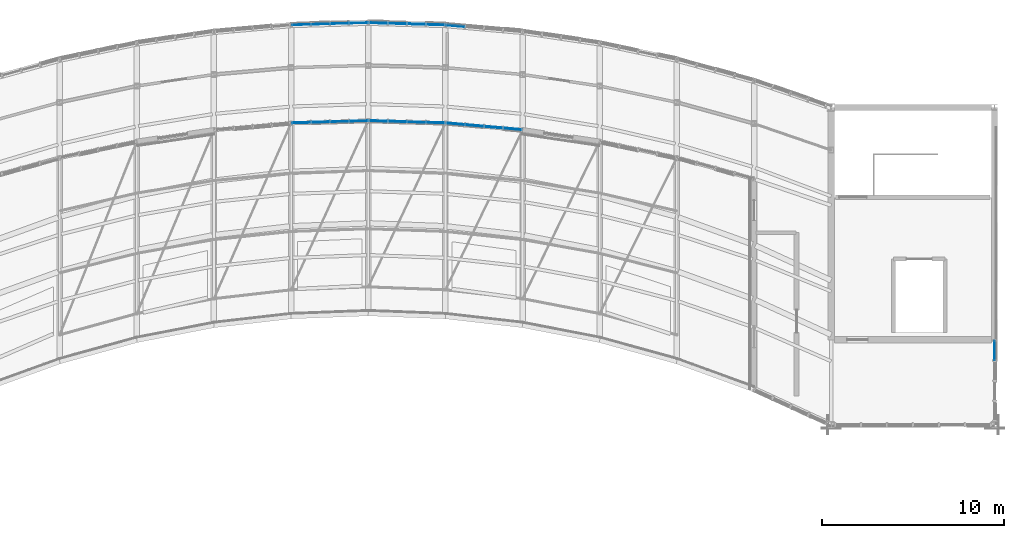
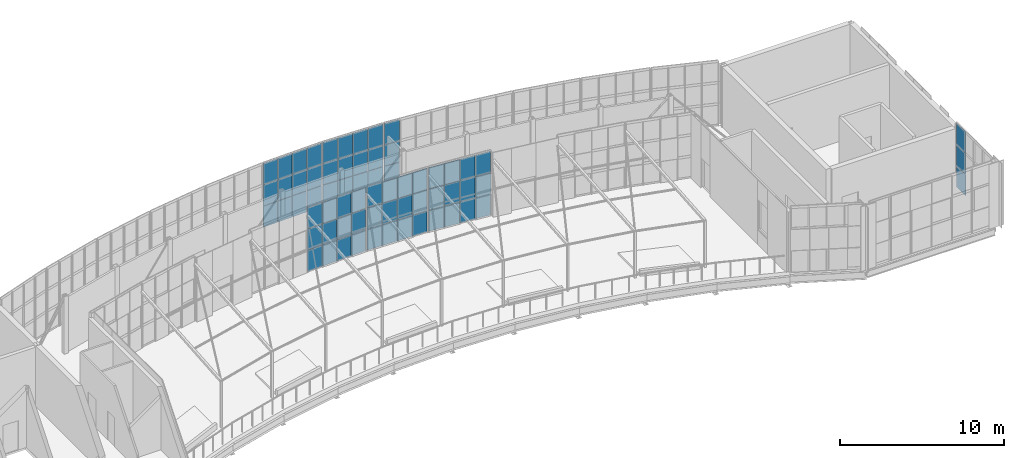
# One storey, part 28 of 35: 66 plates, 7 elements without a shape of their own.
"""IFC4 building model written with IfcOpenShell, lengths in metres."""

import ifcopenshell
import ifcopenshell.guid

model = None  # the IFC model being written
_history = None  # IfcOwnerHistory: only IFC2X3 demands one
_inside = {}  # id of a spatial element -> (the spatial element, [elements in it])
_under = {}  # id of a project, library or spatial element -> (it, [spatial elements below it])
_declared = {}  # id of a project -> (the project, [libraries it declares])
_typed = {}  # id of a type object -> (the type object, [elements of that type])
_made_of = {}  # id of a material, layer set ... -> (it, [elements and type objects made of it])


def new_model(schema):
    """Start an empty IFC model of exactly this schema.

    Asked for "IFC4X3", IfcOpenShell would pick the latest addendum, in which some entities
    have other attributes; the version numbers below select the first issue.
    IFC2X3 requires an IfcOwnerHistory on every rooted entity: one is made here for all.
    """
    global model, _history
    if schema == "IFC4X3":
        model = ifcopenshell.file(schema_version=(4, 3, 0, 0))
    else:
        model = ifcopenshell.file(schema=schema)
    _inside.clear()
    _under.clear()
    _declared.clear()
    _typed.clear()
    _made_of.clear()
    _history = None
    if model.schema == "IFC2X3":
        org = make("IfcOrganization", Name="unknown")
        user = make(
            "IfcPersonAndOrganization",
            ThePerson=make("IfcPerson", FamilyName="unknown"),
            TheOrganization=org,
        )
        app = make(
            "IfcApplication",
            ApplicationDeveloper=org,
            Version="unknown",
            ApplicationFullName="unknown",
            ApplicationIdentifier="unknown",
        )
        _history = make(
            "IfcOwnerHistory",
            OwningUser=user,
            OwningApplication=app,
            ChangeAction="ADDED",
            CreationDate=0,
        )
    return model


def make(cls, **values):
    """One entity of the class cls with the attributes given. An attribute that is None is left unset."""
    return model.create_entity(
        cls, **{name: value for name, value in values.items() if value is not None}
    )


def rooted(cls, **values):
    """An entity with a GlobalId (a new one), such as an element, a storey or a relation."""
    return make(cls, GlobalId=ifcopenshell.guid.new(), OwnerHistory=_history, **values)


def si_unit(unit_type, name, prefix=None):
    """IfcSIUnit, for example si_unit("LENGTHUNIT", "METRE", prefix="MILLI")."""
    return make("IfcSIUnit", UnitType=unit_type, Prefix=prefix, Name=name)


def assignment(units):
    """IfcUnitAssignment: the units of a project."""
    return None if units is None else make("IfcUnitAssignment", Units=units)


def point(xyz):
    """IfcCartesianPoint."""
    return None if xyz is None else make("IfcCartesianPoint", Coordinates=xyz)


def direction(xyz):
    """IfcDirection."""
    return None if xyz is None else make("IfcDirection", DirectionRatios=xyz)


def frame(location, z_axis=None, x_axis=None):
    """IfcAxis2Placement3D, a coordinate frame: its origin and axes. An axis left out is left unset."""
    return make(
        "IfcAxis2Placement3D",
        Location=point(location),
        Axis=direction(z_axis),
        RefDirection=direction(x_axis),
    )


def frame_2d(location, x_axis=None):
    """IfcAxis2Placement2D, a coordinate frame in the plane: its origin and x axis."""
    return make(
        "IfcAxis2Placement2D", Location=point(location), RefDirection=direction(x_axis)
    )


def origin():
    """The frame at (0, 0, 0) with its axes left unset."""
    return frame((0.0, 0.0, 0.0))


def origin_2d():
    """The frame at (0, 0) in the plane with its x axis left unset."""
    return frame_2d((0.0, 0.0))


def place(relative_to, where):
    """IfcLocalPlacement: puts the frame where relative to a parent placement (None: the world)."""
    return make(
        "IfcLocalPlacement", PlacementRelTo=relative_to, RelativePlacement=where
    )


def context(
    kind, dimensions, precision=None, world=None, true_north=None, identifier=None
):
    """IfcGeometricRepresentationContext, for example the 3D "Model" context."""
    return make(
        "IfcGeometricRepresentationContext",
        ContextIdentifier=identifier,
        ContextType=kind,
        CoordinateSpaceDimension=dimensions,
        Precision=precision,
        WorldCoordinateSystem=world,
        TrueNorth=true_north,
    )


def subcontext(parent, identifier, kind, view, scale=None):
    """IfcGeometricRepresentationSubContext, for example "Body" below "Model"."""
    return make(
        "IfcGeometricRepresentationSubContext",
        ContextIdentifier=identifier,
        ContextType=kind,
        ParentContext=parent,
        TargetScale=scale,
        TargetView=view,
    )


def project(units=None, contexts=None):
    """IfcProject with its units and contexts."""
    return rooted(
        "IfcProject",
        Name="project",
        RepresentationContexts=contexts,
        UnitsInContext=assignment(units),
    )


def spatial(cls, under=None, at=None, **own):
    """A site, building, storey or space (cls), placed at a placement, below another one or the project."""
    s = rooted(cls, ObjectPlacement=at, **own)
    if under is not None:
        _under.setdefault(under.id(), (under, []))[1].append(s)
    return s


def profile(cls, at=None, kind="AREA", **sizes):
    """A parametric profile (cls). Its sizes go by their IFC names, for example OverallWidth=200.0."""
    return make(cls, ProfileType=kind, Position=at, **sizes)


def rectangle(**sizes):
    """IfcRectangleProfileDef."""
    return profile("IfcRectangleProfileDef", **sizes)


def extrude(swept, where, along, depth):
    """IfcExtrudedAreaSolid: the profile swept, set in the frame where, extruded along a direction by depth."""
    return make(
        "IfcExtrudedAreaSolid",
        SweptArea=swept,
        Position=where,
        ExtrudedDirection=direction(along),
        Depth=depth,
    )


def shape(context_of_items, identifier, shape_type, items):
    """IfcShapeRepresentation: the items that make up one representation, for example the "Body"."""
    return make(
        "IfcShapeRepresentation",
        ContextOfItems=context_of_items,
        RepresentationIdentifier=identifier,
        RepresentationType=shape_type,
        Items=items,
    )


def material(Name=None, Category=None):
    """IfcMaterial."""
    return make("IfcMaterial", Name=Name, Category=Category)


def layer(
    of_material, thickness, ventilated=None, Name=None, Category=None, Priority=None
):
    """IfcMaterialLayer: one layer of a wall or slab, of a material (None: an air gap)."""
    return make(
        "IfcMaterialLayer",
        Material=of_material,
        LayerThickness=thickness,
        IsVentilated=ventilated,
        Name=Name,
        Category=Category,
        Priority=Priority,
    )


def layer_set(layers, Name=None):
    """IfcMaterialLayerSet."""
    return make("IfcMaterialLayerSet", MaterialLayers=layers, LayerSetName=Name)


def made_of(thing, what):
    """Note that an element or type object is made of a material, layer set ...; save() writes the relation."""
    if what is not None:
        _made_of.setdefault(what.id(), (what, []))[1].append(thing)
    return thing


def type_object(cls, material=None, **own):
    """A type object (cls), such as IfcWallType, which elements share."""
    return made_of(rooted(cls, **own), material)


def element(
    cls,
    number,
    at=None,
    inside=None,
    cuts=None,
    type_object=None,
    material=None,
    context=None,
    identifier="Body",
    shape_type=None,
    held_by="IfcProductDefinitionShape",
    body=None,
    shapes=None,
    **own,
):
    """One element of the class cls, such as IfcWall. Its Tag is "e" and its number.

    at: its placement. inside: the storey or other place that contains it. cuts: it is an
    opening in that element (IfcRelVoidsElement). A single representation is given by context,
    identifier, shape_type and body (its items); several are given by shapes. held_by: the class
    of the entity that holds the representations. save() writes the other relations.
    """
    e = rooted(cls, Tag="e%d" % number, ObjectPlacement=at, **own)
    if body is not None:
        shapes = [shape(context, identifier, shape_type, body)]
    if shapes is not None:
        e.Representation = make(held_by, Representations=shapes)
    if inside is not None:
        _inside.setdefault(inside.id(), (inside, []))[1].append(e)
    if cuts is not None:
        rooted(
            "IfcRelVoidsElement", RelatingBuildingElement=cuts, RelatedOpeningElement=e
        )
    if type_object is not None:
        _typed.setdefault(type_object.id(), (type_object, []))[1].append(e)
    return made_of(e, material)


def aggregate(whole, parts):
    """IfcRelAggregates: a whole, such as a stair, and the parts it consists of."""
    return rooted("IfcRelAggregates", RelatingObject=whole, RelatedObjects=parts)


def save(model, path):
    """Write the relations noted so far, then the file.

    IfcRelAggregates (storeys below a building ...), IfcRelContainedInSpatialStructure (elements
    in a storey), IfcRelDefinesByType, IfcRelAssociatesMaterial and IfcRelDeclares: one each for
    every whole, place, type object, material and project.
    """
    for whole, parts in _under.values():
        aggregate(whole, parts)
    for where, things in _inside.values():
        rooted(
            "IfcRelContainedInSpatialStructure",
            RelatedElements=things,
            RelatingStructure=where,
        )
    for kind, things in _typed.values():
        rooted("IfcRelDefinesByType", RelatedObjects=things, RelatingType=kind)
    for what, things in _made_of.values():
        rooted("IfcRelAssociatesMaterial", RelatedObjects=things, RelatingMaterial=what)
    for by, libraries in _declared.values():
        rooted("IfcRelDeclares", RelatingContext=by, RelatedDefinitions=libraries)
    model.write(path)


model = new_model("IFC4")

# Units and contexts
model_context = context("Model", 3, precision=1e-05, world=origin(), true_north=direction((0.0, 1.0)))
body_context = subcontext(model_context, "Body", "Model", "MODEL_VIEW")
ifc_project = project(units=[si_unit("LENGTHUNIT", "METRE"), si_unit("AREAUNIT", "SQUARE_METRE"), si_unit("VOLUMEUNIT", "CUBIC_METRE"), si_unit("PLANEANGLEUNIT", "RADIAN"), si_unit("MASSUNIT", "GRAM", prefix="KILO")], contexts=[model_context])

# Site, building, storey
site_placement = place(None, origin())
site = spatial("IfcSite", under=ifc_project, at=site_placement, CompositionType="ELEMENT")
building_placement = place(site_placement, origin())
building = spatial("IfcBuilding", under=site, at=building_placement, Name="Solvikara Media Centre", CompositionType="ELEMENT")
storey_placement = place(building_placement, frame((0.0, 0.0, 29.39990234375)))
storey = spatial("IfcBuildingStorey", under=building, at=storey_placement, Name="L06", CompositionType="ELEMENT", Elevation=29.39990234375)

# Curtain wall, plates
ifc_material_1 = material(Name="Anodised aluminium EN AW-6063", Category="aluminium")
curtain_wall_type = type_object("IfcCurtainWallType", Name="CW-13", PredefinedType="NOTDEFINED", material=ifc_material_1)
curtain_wall_1_placement = place(storey_placement, origin())
curtain_wall_1 = element("IfcCurtainWall", 1, at=curtain_wall_1_placement, inside=storey, type_object=curtain_wall_type, Name="CW-L06-NARC-05", PredefinedType="NOTDEFINED")
ifc_material_2 = material(Name="Laminated solar-control cyan vision glass", Category="glass")
ifc_layer_1 = layer(ifc_material_2, 0.035888671875)
ifc_layer_set_1 = layer_set([ifc_layer_1], Name="Laminated solar-control cyan vision glass")
plate_type_1 = type_object("IfcPlateType", Name="PN-04", PredefinedType="CURTAIN_PANEL", material=ifc_layer_set_1)
plate_1_placement = place(storey_placement, frame((98.30810546875, 41.35791015625, 0.03466796875), z_axis=(0.0, 0.0, 1.0), x_axis=(0.999560377741, 0.02964879847, 0.0)))
plate_1 = element("IfcPlate", 2, at=plate_1_placement, type_object=plate_type_1, Name="CW-L06-NARC-05-P0000", PredefinedType="CURTAIN_PANEL", context=body_context, shape_type="SweptSolid", body=[
    extrude(rectangle(XDim=1.014892578125, YDim=0.035888671875, at=origin_2d()), origin(), (0.0, 0.0, 1.0), 1.556884765625),
])
plate_2_placement = place(storey_placement, frame((98.30810546875, 41.35791015625, 1.62158203125), z_axis=(0.0, 0.0, 1.0), x_axis=(0.999560377741, 0.02964879847, 0.0)))
plate_2 = element("IfcPlate", 3, at=plate_2_placement, type_object=plate_type_1, Name="CW-L06-NARC-05-P0001", PredefinedType="CURTAIN_PANEL", context=body_context, shape_type="SweptSolid", body=[
    extrude(rectangle(XDim=1.014892578125, YDim=0.035888671875, at=origin_2d()), origin(), (0.0, 0.0, 1.0), 1.556884765625),
])
plate_3_placement = place(storey_placement, frame((98.30810546875, 41.35791015625, 3.20849609375), z_axis=(0.0, 0.0, 1.0), x_axis=(0.999560377741, 0.02964879847, 0.0)))
plate_3 = element("IfcPlate", 4, at=plate_3_placement, type_object=plate_type_1, Name="CW-L06-NARC-05-P0002", PredefinedType="CURTAIN_PANEL", context=body_context, shape_type="SweptSolid", body=[
    extrude(rectangle(XDim=1.014892578125, YDim=0.035888671875, at=origin_2d()), origin(), (0.0, 0.0, 1.0), 1.556884765625),
])
plate_4_placement = place(storey_placement, frame((99.35205078125, 41.387939453125, 0.03466796875), z_axis=(0.0, 0.0, 1.0), x_axis=(0.999560377741, 0.02964879847, 0.0)))
plate_4 = element("IfcPlate", 5, at=plate_4_placement, type_object=plate_type_1, Name="CW-L06-NARC-05-P0100", PredefinedType="CURTAIN_PANEL", context=body_context, shape_type="SweptSolid", body=[
    extrude(rectangle(XDim=1.014892578125, YDim=0.035888671875, at=origin_2d()), origin(), (0.0, 0.0, 1.0), 1.556884765625),
])
plate_5_placement = place(storey_placement, frame((99.35205078125, 41.387939453125, 1.62158203125), z_axis=(0.0, 0.0, 1.0), x_axis=(0.999560377741, 0.02964879847, 0.0)))
plate_5 = element("IfcPlate", 6, at=plate_5_placement, type_object=plate_type_1, Name="CW-L06-NARC-05-P0101", PredefinedType="CURTAIN_PANEL", context=body_context, shape_type="SweptSolid", body=[
    extrude(rectangle(XDim=1.014892578125, YDim=0.035888671875, at=origin_2d()), origin(), (0.0, 0.0, 1.0), 1.556884765625),
])
plate_6_placement = place(storey_placement, frame((99.35205078125, 41.387939453125, 3.20849609375), z_axis=(0.0, 0.0, 1.0), x_axis=(0.999560377741, 0.02964879847, 0.0)))
plate_6 = element("IfcPlate", 7, at=plate_6_placement, type_object=plate_type_1, Name="CW-L06-NARC-05-P0102", PredefinedType="CURTAIN_PANEL", context=body_context, shape_type="SweptSolid", body=[
    extrude(rectangle(XDim=1.014892578125, YDim=0.035888671875, at=origin_2d()), origin(), (0.0, 0.0, 1.0), 1.556884765625),
])
plate_7_placement = place(storey_placement, frame((100.39794921875, 41.419921875, 0.03466796875), z_axis=(0.0, 0.0, 1.0), x_axis=(0.999560377741, 0.02964879847, 0.0)))
plate_7 = element("IfcPlate", 8, at=plate_7_placement, type_object=plate_type_1, Name="CW-L06-NARC-05-P0200", PredefinedType="CURTAIN_PANEL", context=body_context, shape_type="SweptSolid", body=[
    extrude(rectangle(XDim=1.014892578125, YDim=0.035888671875, at=origin_2d()), origin(), (0.0, 0.0, 1.0), 1.556884765625),
])
plate_8_placement = place(storey_placement, frame((100.39794921875, 41.419921875, 1.62158203125), z_axis=(0.0, 0.0, 1.0), x_axis=(0.999560377741, 0.02964879847, 0.0)))
plate_8 = element("IfcPlate", 9, at=plate_8_placement, type_object=plate_type_1, Name="CW-L06-NARC-05-P0201", PredefinedType="CURTAIN_PANEL", context=body_context, shape_type="SweptSolid", body=[
    extrude(rectangle(XDim=1.014892578125, YDim=0.035888671875, at=origin_2d()), origin(), (0.0, 0.0, 1.0), 1.556884765625),
])
plate_9_placement = place(storey_placement, frame((100.39794921875, 41.419921875, 3.20849609375), z_axis=(0.0, 0.0, 1.0), x_axis=(0.999560377741, 0.02964879847, 0.0)))
plate_9 = element("IfcPlate", 10, at=plate_9_placement, type_object=plate_type_1, Name="CW-L06-NARC-05-P0202", PredefinedType="CURTAIN_PANEL", context=body_context, shape_type="SweptSolid", body=[
    extrude(rectangle(XDim=1.014892578125, YDim=0.035888671875, at=origin_2d()), origin(), (0.0, 0.0, 1.0), 1.556884765625),
])
plate_10_placement = place(storey_placement, frame((101.44189453125, 41.449951171875, 0.03466796875), z_axis=(0.0, 0.0, 1.0), x_axis=(0.999560377741, 0.02964879847, 0.0)))
plate_10 = element("IfcPlate", 11, at=plate_10_placement, type_object=plate_type_1, Name="CW-L06-NARC-05-P0300", PredefinedType="CURTAIN_PANEL", context=body_context, shape_type="SweptSolid", body=[
    extrude(rectangle(XDim=1.014892578125, YDim=0.035888671875, at=origin_2d()), origin(), (0.0, 0.0, 1.0), 1.556884765625),
])
plate_11_placement = place(storey_placement, frame((101.44189453125, 41.449951171875, 1.62158203125), z_axis=(0.0, 0.0, 1.0), x_axis=(0.999560377741, 0.02964879847, 0.0)))
plate_11 = element("IfcPlate", 12, at=plate_11_placement, type_object=plate_type_1, Name="CW-L06-NARC-05-P0301", PredefinedType="CURTAIN_PANEL", context=body_context, shape_type="SweptSolid", body=[
    extrude(rectangle(XDim=1.014892578125, YDim=0.035888671875, at=origin_2d()), origin(), (0.0, 0.0, 1.0), 1.556884765625),
])
plate_12_placement = place(storey_placement, frame((101.44189453125, 41.449951171875, 3.20849609375), z_axis=(0.0, 0.0, 1.0), x_axis=(0.999560377741, 0.02964879847, 0.0)))
plate_12 = element("IfcPlate", 13, at=plate_12_placement, type_object=plate_type_1, Name="CW-L06-NARC-05-P0302", PredefinedType="CURTAIN_PANEL", context=body_context, shape_type="SweptSolid", body=[
    extrude(rectangle(XDim=1.014892578125, YDim=0.035888671875, at=origin_2d()), origin(), (0.0, 0.0, 1.0), 1.556884765625),
])
aggregate(curtain_wall_1, [plate_1, plate_2, plate_3, plate_4, plate_5, plate_6, plate_7, plate_8, plate_9, plate_10, plate_11, plate_12])

curtain_wall_2_placement = place(storey_placement, origin())
curtain_wall_2 = element("IfcCurtainWall", 14, at=curtain_wall_2_placement, inside=storey, type_object=curtain_wall_type, Name="CW-L06-NARC-06", PredefinedType="NOTDEFINED")
plate_13_placement = place(storey_placement, frame((102.55810546875, 41.449951171875, 1.62158203125), z_axis=(0.0, 0.0, 1.0), x_axis=(0.999560377741, -0.02964879847, 0.0)))
plate_13 = element("IfcPlate", 15, at=plate_13_placement, type_object=plate_type_1, Name="CW-L06-NARC-06-P0001", PredefinedType="CURTAIN_PANEL", context=body_context, shape_type="SweptSolid", body=[
    extrude(rectangle(XDim=1.014892578125, YDim=0.035888671875, at=origin_2d()), origin(), (0.0, 0.0, 1.0), 1.556884765625),
])
plate_14_placement = place(storey_placement, frame((102.55810546875, 41.449951171875, 3.20849609375), z_axis=(0.0, 0.0, 1.0), x_axis=(0.999560377741, -0.02964879847, 0.0)))
plate_14 = element("IfcPlate", 16, at=plate_14_placement, type_object=plate_type_1, Name="CW-L06-NARC-06-P0002", PredefinedType="CURTAIN_PANEL", context=body_context, shape_type="SweptSolid", body=[
    extrude(rectangle(XDim=1.014892578125, YDim=0.035888671875, at=origin_2d()), origin(), (0.0, 0.0, 1.0), 1.556884765625),
])
plate_15_placement = place(storey_placement, frame((103.60205078125, 41.419921875, 1.62158203125), z_axis=(0.0, 0.0, 1.0), x_axis=(0.999560377741, -0.02964879847, 0.0)))
plate_15 = element("IfcPlate", 17, at=plate_15_placement, type_object=plate_type_1, Name="CW-L06-NARC-06-P0101", PredefinedType="CURTAIN_PANEL", context=body_context, shape_type="SweptSolid", body=[
    extrude(rectangle(XDim=1.014892578125, YDim=0.035888671875, at=origin_2d()), origin(), (0.0, 0.0, 1.0), 1.556884765625),
])
plate_16_placement = place(storey_placement, frame((103.60205078125, 41.419921875, 3.20849609375), z_axis=(0.0, 0.0, 1.0), x_axis=(0.999560377741, -0.02964879847, 0.0)))
plate_16 = element("IfcPlate", 18, at=plate_16_placement, type_object=plate_type_1, Name="CW-L06-NARC-06-P0102", PredefinedType="CURTAIN_PANEL", context=body_context, shape_type="SweptSolid", body=[
    extrude(rectangle(XDim=1.014892578125, YDim=0.035888671875, at=origin_2d()), origin(), (0.0, 0.0, 1.0), 1.556884765625),
])
plate_17_placement = place(storey_placement, frame((104.64794921875, 41.387939453125, 1.62158203125), z_axis=(0.0, 0.0, 1.0), x_axis=(0.999560377741, -0.02964879847, 0.0)))
plate_17 = element("IfcPlate", 19, at=plate_17_placement, type_object=plate_type_1, Name="CW-L06-NARC-06-P0201", PredefinedType="CURTAIN_PANEL", context=body_context, shape_type="SweptSolid", body=[
    extrude(rectangle(XDim=1.014892578125, YDim=0.035888671875, at=origin_2d()), origin(), (0.0, 0.0, 1.0), 1.556884765625),
])
plate_18_placement = place(storey_placement, frame((104.64794921875, 41.387939453125, 3.20849609375), z_axis=(0.0, 0.0, 1.0), x_axis=(0.999560377741, -0.02964879847, 0.0)))
plate_18 = element("IfcPlate", 20, at=plate_18_placement, type_object=plate_type_1, Name="CW-L06-NARC-06-P0202", PredefinedType="CURTAIN_PANEL", context=body_context, shape_type="SweptSolid", body=[
    extrude(rectangle(XDim=1.014892578125, YDim=0.035888671875, at=origin_2d()), origin(), (0.0, 0.0, 1.0), 1.556884765625),
])
plate_19_placement = place(storey_placement, frame((105.69189453125, 41.35791015625, 0.03466796875), z_axis=(0.0, 0.0, 1.0), x_axis=(0.999560377741, -0.02964879847, 0.0)))
plate_19 = element("IfcPlate", 21, at=plate_19_placement, type_object=plate_type_1, Name="CW-L06-NARC-06-P0300", PredefinedType="CURTAIN_PANEL", context=body_context, shape_type="SweptSolid", body=[
    extrude(rectangle(XDim=1.014892578125, YDim=0.035888671875, at=origin_2d()), origin(), (0.0, 0.0, 1.0), 1.556884765625),
])
plate_20_placement = place(storey_placement, frame((105.69189453125, 41.35791015625, 1.62158203125), z_axis=(0.0, 0.0, 1.0), x_axis=(0.999560377741, -0.02964879847, 0.0)))
plate_20 = element("IfcPlate", 22, at=plate_20_placement, type_object=plate_type_1, Name="CW-L06-NARC-06-P0301", PredefinedType="CURTAIN_PANEL", context=body_context, shape_type="SweptSolid", body=[
    extrude(rectangle(XDim=1.014892578125, YDim=0.035888671875, at=origin_2d()), origin(), (0.0, 0.0, 1.0), 1.556884765625),
])

curtain_wall_3_placement = place(storey_placement, origin())
curtain_wall_3 = element("IfcCurtainWall", 23, at=curtain_wall_3_placement, inside=storey, type_object=curtain_wall_type, Name="CW-L06-GALS-05", PredefinedType="NOTDEFINED")
plate_21_placement = place(storey_placement, frame((99.35205078125, 35.988037109375, 0.03466796875), z_axis=(0.0, 0.0, 1.0), x_axis=(0.999560377741, 0.02964879847, 0.0)))
plate_21 = element("IfcPlate", 24, at=plate_21_placement, type_object=plate_type_1, Name="CW-L06-GALS-05-P0100", PredefinedType="CURTAIN_PANEL", context=body_context, shape_type="SweptSolid", body=[
    extrude(rectangle(XDim=1.014892578125, YDim=0.035888671875, at=origin_2d()), origin(), (0.0, 0.0, 1.0), 1.556884765625),
])
plate_22_placement = place(storey_placement, frame((99.35205078125, 35.988037109375, 3.20849609375), z_axis=(0.0, 0.0, 1.0), x_axis=(0.999560377741, 0.02964879847, 0.0)))
plate_22 = element("IfcPlate", 25, at=plate_22_placement, type_object=plate_type_1, Name="CW-L06-GALS-05-P0102", PredefinedType="CURTAIN_PANEL", context=body_context, shape_type="SweptSolid", body=[
    extrude(rectangle(XDim=1.014892578125, YDim=0.035888671875, at=origin_2d()), origin(), (0.0, 0.0, 1.0), 1.556884765625),
])
plate_23_placement = place(storey_placement, frame((100.39794921875, 36.02001953125, 0.03466796875), z_axis=(0.0, 0.0, 1.0), x_axis=(0.999560377741, 0.02964879847, 0.0)))
plate_23 = element("IfcPlate", 26, at=plate_23_placement, type_object=plate_type_1, Name="CW-L06-GALS-05-P0200", PredefinedType="CURTAIN_PANEL", context=body_context, shape_type="SweptSolid", body=[
    extrude(rectangle(XDim=1.014892578125, YDim=0.035888671875, at=origin_2d()), origin(), (0.0, 0.0, 1.0), 1.556884765625),
])
plate_24_placement = place(storey_placement, frame((100.39794921875, 36.02001953125, 1.62158203125), z_axis=(0.0, 0.0, 1.0), x_axis=(0.999560377741, 0.02964879847, 0.0)))
plate_24 = element("IfcPlate", 27, at=plate_24_placement, type_object=plate_type_1, Name="CW-L06-GALS-05-P0201", PredefinedType="CURTAIN_PANEL", context=body_context, shape_type="SweptSolid", body=[
    extrude(rectangle(XDim=1.014892578125, YDim=0.035888671875, at=origin_2d()), origin(), (0.0, 0.0, 1.0), 1.556884765625),
])
plate_25_placement = place(storey_placement, frame((100.39794921875, 36.02001953125, 3.20849609375), z_axis=(0.0, 0.0, 1.0), x_axis=(0.999560377741, 0.02964879847, 0.0)))
plate_25 = element("IfcPlate", 28, at=plate_25_placement, type_object=plate_type_1, Name="CW-L06-GALS-05-P0202", PredefinedType="CURTAIN_PANEL", context=body_context, shape_type="SweptSolid", body=[
    extrude(rectangle(XDim=1.014892578125, YDim=0.035888671875, at=origin_2d()), origin(), (0.0, 0.0, 1.0), 1.556884765625),
])
plate_26_placement = place(storey_placement, frame((101.44189453125, 36.050048828125, 0.03466796875), z_axis=(0.0, 0.0, 1.0), x_axis=(0.999560377741, 0.02964879847, 0.0)))
plate_26 = element("IfcPlate", 29, at=plate_26_placement, type_object=plate_type_1, Name="CW-L06-GALS-05-P0300", PredefinedType="CURTAIN_PANEL", context=body_context, shape_type="SweptSolid", body=[
    extrude(rectangle(XDim=1.014892578125, YDim=0.035888671875, at=origin_2d()), origin(), (0.0, 0.0, 1.0), 1.556884765625),
])
plate_27_placement = place(storey_placement, frame((101.44189453125, 36.050048828125, 1.62158203125), z_axis=(0.0, 0.0, 1.0), x_axis=(0.999560377741, 0.02964879847, 0.0)))
plate_27 = element("IfcPlate", 30, at=plate_27_placement, type_object=plate_type_1, Name="CW-L06-GALS-05-P0301", PredefinedType="CURTAIN_PANEL", context=body_context, shape_type="SweptSolid", body=[
    extrude(rectangle(XDim=1.014892578125, YDim=0.035888671875, at=origin_2d()), origin(), (0.0, 0.0, 1.0), 1.556884765625),
])
plate_28_placement = place(storey_placement, frame((101.44189453125, 36.050048828125, 3.20849609375), z_axis=(0.0, 0.0, 1.0), x_axis=(0.999560377741, 0.02964879847, 0.0)))
plate_28 = element("IfcPlate", 31, at=plate_28_placement, type_object=plate_type_1, Name="CW-L06-GALS-05-P0302", PredefinedType="CURTAIN_PANEL", context=body_context, shape_type="SweptSolid", body=[
    extrude(rectangle(XDim=1.014892578125, YDim=0.035888671875, at=origin_2d()), origin(), (0.0, 0.0, 1.0), 1.556884765625),
])

curtain_wall_4_placement = place(storey_placement, origin())
curtain_wall_4 = element("IfcCurtainWall", 32, at=curtain_wall_4_placement, inside=storey, type_object=curtain_wall_type, Name="CW-L06-GALS-06", PredefinedType="NOTDEFINED")
plate_29_placement = place(storey_placement, frame((102.55810546875, 36.050048828125, 0.03466796875), z_axis=(0.0, 0.0, 1.0), x_axis=(0.999560377741, -0.02964879847, 0.0)))
plate_29 = element("IfcPlate", 33, at=plate_29_placement, type_object=plate_type_1, Name="CW-L06-GALS-06-P0000", PredefinedType="CURTAIN_PANEL", context=body_context, shape_type="SweptSolid", body=[
    extrude(rectangle(XDim=1.014892578125, YDim=0.035888671875, at=origin_2d()), origin(), (0.0, 0.0, 1.0), 1.556884765625),
])
plate_30_placement = place(storey_placement, frame((102.55810546875, 36.050048828125, 3.20849609375), z_axis=(0.0, 0.0, 1.0), x_axis=(0.999560377741, -0.02964879847, 0.0)))
plate_30 = element("IfcPlate", 34, at=plate_30_placement, type_object=plate_type_1, Name="CW-L06-GALS-06-P0002", PredefinedType="CURTAIN_PANEL", context=body_context, shape_type="SweptSolid", body=[
    extrude(rectangle(XDim=1.014892578125, YDim=0.035888671875, at=origin_2d()), origin(), (0.0, 0.0, 1.0), 1.556884765625),
])
plate_31_placement = place(storey_placement, frame((103.60205078125, 36.02001953125, 0.03466796875), z_axis=(0.0, 0.0, 1.0), x_axis=(0.999560377741, -0.02964879847, 0.0)))
plate_31 = element("IfcPlate", 35, at=plate_31_placement, type_object=plate_type_1, Name="CW-L06-GALS-06-P0100", PredefinedType="CURTAIN_PANEL", context=body_context, shape_type="SweptSolid", body=[
    extrude(rectangle(XDim=1.014892578125, YDim=0.035888671875, at=origin_2d()), origin(), (0.0, 0.0, 1.0), 1.556884765625),
])
plate_32_placement = place(storey_placement, frame((103.60205078125, 36.02001953125, 1.62158203125), z_axis=(0.0, 0.0, 1.0), x_axis=(0.999560377741, -0.02964879847, 0.0)))
plate_32 = element("IfcPlate", 36, at=plate_32_placement, type_object=plate_type_1, Name="CW-L06-GALS-06-P0101", PredefinedType="CURTAIN_PANEL", context=body_context, shape_type="SweptSolid", body=[
    extrude(rectangle(XDim=1.014892578125, YDim=0.035888671875, at=origin_2d()), origin(), (0.0, 0.0, 1.0), 1.556884765625),
])
plate_33_placement = place(storey_placement, frame((104.64794921875, 35.988037109375, 0.03466796875), z_axis=(0.0, 0.0, 1.0), x_axis=(0.999560377741, -0.02964879847, 0.0)))
plate_33 = element("IfcPlate", 37, at=plate_33_placement, type_object=plate_type_1, Name="CW-L06-GALS-06-P0200", PredefinedType="CURTAIN_PANEL", context=body_context, shape_type="SweptSolid", body=[
    extrude(rectangle(XDim=1.014892578125, YDim=0.035888671875, at=origin_2d()), origin(), (0.0, 0.0, 1.0), 1.556884765625),
])
plate_34_placement = place(storey_placement, frame((104.64794921875, 35.988037109375, 1.62158203125), z_axis=(0.0, 0.0, 1.0), x_axis=(0.999560377741, -0.02964879847, 0.0)))
plate_34 = element("IfcPlate", 38, at=plate_34_placement, type_object=plate_type_1, Name="CW-L06-GALS-06-P0201", PredefinedType="CURTAIN_PANEL", context=body_context, shape_type="SweptSolid", body=[
    extrude(rectangle(XDim=1.014892578125, YDim=0.035888671875, at=origin_2d()), origin(), (0.0, 0.0, 1.0), 1.556884765625),
])
plate_35_placement = place(storey_placement, frame((104.64794921875, 35.988037109375, 3.20849609375), z_axis=(0.0, 0.0, 1.0), x_axis=(0.999560377741, -0.02964879847, 0.0)))
plate_35 = element("IfcPlate", 39, at=plate_35_placement, type_object=plate_type_1, Name="CW-L06-GALS-06-P0202", PredefinedType="CURTAIN_PANEL", context=body_context, shape_type="SweptSolid", body=[
    extrude(rectangle(XDim=1.014892578125, YDim=0.035888671875, at=origin_2d()), origin(), (0.0, 0.0, 1.0), 1.556884765625),
])
plate_36_placement = place(storey_placement, frame((105.69189453125, 35.9580078125, 0.03466796875), z_axis=(0.0, 0.0, 1.0), x_axis=(0.999560377741, -0.02964879847, 0.0)))
plate_36 = element("IfcPlate", 40, at=plate_36_placement, type_object=plate_type_1, Name="CW-L06-GALS-06-P0300", PredefinedType="CURTAIN_PANEL", context=body_context, shape_type="SweptSolid", body=[
    extrude(rectangle(XDim=1.014892578125, YDim=0.035888671875, at=origin_2d()), origin(), (0.0, 0.0, 1.0), 1.556884765625),
])
plate_37_placement = place(storey_placement, frame((105.69189453125, 35.9580078125, 1.62158203125), z_axis=(0.0, 0.0, 1.0), x_axis=(0.999560377741, -0.02964879847, 0.0)))
plate_37 = element("IfcPlate", 41, at=plate_37_placement, type_object=plate_type_1, Name="CW-L06-GALS-06-P0301", PredefinedType="CURTAIN_PANEL", context=body_context, shape_type="SweptSolid", body=[
    extrude(rectangle(XDim=1.014892578125, YDim=0.035888671875, at=origin_2d()), origin(), (0.0, 0.0, 1.0), 1.556884765625),
])

curtain_wall_5_placement = place(storey_placement, origin())
curtain_wall_5 = element("IfcCurtainWall", 42, at=curtain_wall_5_placement, inside=storey, type_object=curtain_wall_type, Name="CW-L06-GALS-07", PredefinedType="NOTDEFINED")
plate_38_placement = place(storey_placement, frame((106.80810546875, 35.89208984375, 0.03466796875), z_axis=(0.0, 0.0, 1.0), x_axis=(0.99608438842, -0.088407528781, 0.0)))
plate_38 = element("IfcPlate", 43, at=plate_38_placement, type_object=plate_type_1, Name="CW-L06-GALS-07-P0000", PredefinedType="CURTAIN_PANEL", context=body_context, shape_type="SweptSolid", body=[
    extrude(rectangle(XDim=1.01904296875, YDim=0.035888671875, at=origin_2d()), origin(), (0.0, 0.0, 1.0), 1.556884765625),
])
plate_39_placement = place(storey_placement, frame((106.80810546875, 35.89208984375, 3.20849609375), z_axis=(0.0, 0.0, 1.0), x_axis=(0.99608438842, -0.088407528781, 0.0)))
plate_39 = element("IfcPlate", 44, at=plate_39_placement, type_object=plate_type_1, Name="CW-L06-GALS-07-P0002", PredefinedType="CURTAIN_PANEL", context=body_context, shape_type="SweptSolid", body=[
    extrude(rectangle(XDim=1.01904296875, YDim=0.035888671875, at=origin_2d()), origin(), (0.0, 0.0, 1.0), 1.556884765625),
])
plate_40_placement = place(storey_placement, frame((107.85302734375, 35.799072265625, 1.62158203125), z_axis=(0.0, 0.0, 1.0), x_axis=(0.99608438842, -0.088407528781, 0.0)))
plate_40 = element("IfcPlate", 45, at=plate_40_placement, type_object=plate_type_1, Name="CW-L06-GALS-07-P0101", PredefinedType="CURTAIN_PANEL", context=body_context, shape_type="SweptSolid", body=[
    extrude(rectangle(XDim=1.01904296875, YDim=0.035888671875, at=origin_2d()), origin(), (0.0, 0.0, 1.0), 1.556884765625),
])
plate_41_placement = place(storey_placement, frame((108.89794921875, 35.7060546875, 0.03466796875), z_axis=(0.0, 0.0, 1.0), x_axis=(0.99608438842, -0.088407528781, 0.0)))
plate_41 = element("IfcPlate", 46, at=plate_41_placement, type_object=plate_type_1, Name="CW-L06-GALS-07-P0200", PredefinedType="CURTAIN_PANEL", context=body_context, shape_type="SweptSolid", body=[
    extrude(rectangle(XDim=1.01904296875, YDim=0.035888671875, at=origin_2d()), origin(), (0.0, 0.0, 1.0), 1.556884765625),
])
plate_42_placement = place(storey_placement, frame((108.89794921875, 35.7060546875, 3.20849609375), z_axis=(0.0, 0.0, 1.0), x_axis=(0.99608438842, -0.088407528781, 0.0)))
plate_42 = element("IfcPlate", 47, at=plate_42_placement, type_object=plate_type_1, Name="CW-L06-GALS-07-P0202", PredefinedType="CURTAIN_PANEL", context=body_context, shape_type="SweptSolid", body=[
    extrude(rectangle(XDim=1.01904296875, YDim=0.035888671875, at=origin_2d()), origin(), (0.0, 0.0, 1.0), 1.556884765625),
])
plate_43_placement = place(storey_placement, frame((109.943115234375, 35.613037109375, 0.03466796875), z_axis=(0.0, 0.0, 1.0), x_axis=(0.99608438842, -0.088407528781, 0.0)))
plate_43 = element("IfcPlate", 48, at=plate_43_placement, type_object=plate_type_1, Name="CW-L06-GALS-07-P0300", PredefinedType="CURTAIN_PANEL", context=body_context, shape_type="SweptSolid", body=[
    extrude(rectangle(XDim=1.01904296875, YDim=0.035888671875, at=origin_2d()), origin(), (0.0, 0.0, 1.0), 1.556884765625),
])
plate_44_placement = place(storey_placement, frame((109.943115234375, 35.613037109375, 3.20849609375), z_axis=(0.0, 0.0, 1.0), x_axis=(0.99608438842, -0.088407528781, 0.0)))
plate_44 = element("IfcPlate", 49, at=plate_44_placement, type_object=plate_type_1, Name="CW-L06-GALS-07-P0302", PredefinedType="CURTAIN_PANEL", context=body_context, shape_type="SweptSolid", body=[
    extrude(rectangle(XDim=1.01904296875, YDim=0.035888671875, at=origin_2d()), origin(), (0.0, 0.0, 1.0), 1.556884765625),
])

curtain_wall_6_placement = place(storey_placement, origin())
curtain_wall_6 = element("IfcCurtainWall", 50, at=curtain_wall_6_placement, inside=storey, type_object=curtain_wall_type, Name="CW-L06-BHEE", PredefinedType="NOTDEFINED")
plate_45_placement = place(storey_placement, frame((136.5, 23.412109375, 0.03466796875), z_axis=(0.0, 0.0, 1.0), x_axis=(0.0, 1.0, 0.0)))
plate_45 = element("IfcPlate", 51, at=plate_45_placement, type_object=plate_type_1, Name="CW-L06-BHEE-P0300", PredefinedType="CURTAIN_PANEL", context=body_context, shape_type="SweptSolid", body=[
    extrude(rectangle(XDim=1.075927734375, YDim=0.035888671875, at=origin_2d()), origin(), (0.0, 0.0, 1.0), 1.556884765625),
])
plate_46_placement = place(storey_placement, frame((136.5, 23.412109375, 1.62158203125), z_axis=(0.0, 0.0, 1.0), x_axis=(0.0, 1.0, 0.0)))
plate_46 = element("IfcPlate", 52, at=plate_46_placement, type_object=plate_type_1, Name="CW-L06-BHEE-P0301", PredefinedType="CURTAIN_PANEL", context=body_context, shape_type="SweptSolid", body=[
    extrude(rectangle(XDim=1.075927734375, YDim=0.035888671875, at=origin_2d()), origin(), (0.0, 0.0, 1.0), 1.556884765625),
])
plate_47_placement = place(storey_placement, frame((136.5, 23.412109375, 3.20849609375), z_axis=(0.0, 0.0, 1.0), x_axis=(0.0, 1.0, 0.0)))
plate_47 = element("IfcPlate", 53, at=plate_47_placement, type_object=plate_type_1, Name="CW-L06-BHEE-P0302", PredefinedType="CURTAIN_PANEL", context=body_context, shape_type="SweptSolid", body=[
    extrude(rectangle(XDim=1.075927734375, YDim=0.035888671875, at=origin_2d()), origin(), (0.0, 0.0, 1.0), 1.556884765625),
])
aggregate(curtain_wall_6, [plate_45, plate_46, plate_47])

# Plate
ifc_material_3 = material(Name="Insulated silver-pearl glass spandrel panel", Category="glass")
ifc_layer_2 = layer(ifc_material_3, 0.054931640625)
ifc_layer_set_2 = layer_set([ifc_layer_2], Name="Insulated silver-pearl glass spandrel panel")
plate_type_2 = type_object("IfcPlateType", Name="PN-05", PredefinedType="CURTAIN_PANEL", material=ifc_layer_set_2)
plate_48_placement = place(storey_placement, frame((102.55810546875, 41.449951171875, 0.03466796875), z_axis=(0.0, 0.0, 1.0), x_axis=(0.999560377741, -0.02964879847, 0.0)))
plate_48 = element("IfcPlate", 54, at=plate_48_placement, type_object=plate_type_2, Name="CW-L06-NARC-06-P0000", PredefinedType="CURTAIN_PANEL", context=body_context, shape_type="SweptSolid", body=[
    extrude(rectangle(XDim=1.014892578125, YDim=0.054931640625, at=origin_2d()), origin(), (0.0, 0.0, 1.0), 1.556884765625),
])

plate_49_placement = place(storey_placement, frame((103.60205078125, 41.419921875, 0.03466796875), z_axis=(0.0, 0.0, 1.0), x_axis=(0.999560377741, -0.02964879847, 0.0)))
plate_49 = element("IfcPlate", 55, at=plate_49_placement, type_object=plate_type_2, Name="CW-L06-NARC-06-P0100", PredefinedType="CURTAIN_PANEL", context=body_context, shape_type="SweptSolid", body=[
    extrude(rectangle(XDim=1.014892578125, YDim=0.054931640625, at=origin_2d()), origin(), (0.0, 0.0, 1.0), 1.556884765625),
])

plate_50_placement = place(storey_placement, frame((104.64794921875, 41.387939453125, 0.03466796875), z_axis=(0.0, 0.0, 1.0), x_axis=(0.999560377741, -0.02964879847, 0.0)))
plate_50 = element("IfcPlate", 56, at=plate_50_placement, type_object=plate_type_2, Name="CW-L06-NARC-06-P0200", PredefinedType="CURTAIN_PANEL", context=body_context, shape_type="SweptSolid", body=[
    extrude(rectangle(XDim=1.014892578125, YDim=0.054931640625, at=origin_2d()), origin(), (0.0, 0.0, 1.0), 1.556884765625),
])

plate_51_placement = place(storey_placement, frame((105.69189453125, 41.35791015625, 3.20849609375), z_axis=(0.0, 0.0, 1.0), x_axis=(0.999560377741, -0.02964879847, 0.0)))
plate_51 = element("IfcPlate", 57, at=plate_51_placement, type_object=plate_type_2, Name="CW-L06-NARC-06-P0302", PredefinedType="CURTAIN_PANEL", context=body_context, shape_type="SweptSolid", body=[
    extrude(rectangle(XDim=1.014892578125, YDim=0.054931640625, at=origin_2d()), origin(), (0.0, 0.0, 1.0), 1.556884765625),
])

aggregate(curtain_wall_2, [plate_48, plate_13, plate_14, plate_49, plate_15, plate_16, plate_50, plate_17, plate_18, plate_19, plate_20, plate_51])

# Curtain wall, plates
curtain_wall_7_placement = place(storey_placement, origin())
curtain_wall_7 = element("IfcCurtainWall", 58, at=curtain_wall_7_placement, inside=storey, type_object=curtain_wall_type, Name="CW-L06-NARC-07", PredefinedType="NOTDEFINED")
plate_52_placement = place(storey_placement, frame((106.80810546875, 41.2919921875, 0.03466796875), z_axis=(0.0, 0.0, 1.0), x_axis=(0.99608438842, -0.088407528781, 0.0)))
plate_52 = element("IfcPlate", 59, at=plate_52_placement, type_object=plate_type_2, Name="CW-L06-NARC-07-P0000", PredefinedType="CURTAIN_PANEL", context=body_context, shape_type="SweptSolid", body=[
    extrude(rectangle(XDim=1.01904296875, YDim=0.054931640625, at=origin_2d()), origin(), (0.0, 0.0, 1.0), 1.556884765625),
])
plate_53_placement = place(storey_placement, frame((106.80810546875, 41.2919921875, 1.62158203125), z_axis=(0.0, 0.0, 1.0), x_axis=(0.99608438842, -0.088407528781, 0.0)))
plate_53 = element("IfcPlate", 60, at=plate_53_placement, type_object=plate_type_2, Name="CW-L06-NARC-07-P0001", PredefinedType="CURTAIN_PANEL", context=body_context, shape_type="SweptSolid", body=[
    extrude(rectangle(XDim=1.01904296875, YDim=0.054931640625, at=origin_2d()), origin(), (0.0, 0.0, 1.0), 1.556884765625),
])
plate_54_placement = place(storey_placement, frame((106.80810546875, 41.2919921875, 3.20849609375), z_axis=(0.0, 0.0, 1.0), x_axis=(0.99608438842, -0.088407528781, 0.0)))
plate_54 = element("IfcPlate", 61, at=plate_54_placement, type_object=plate_type_2, Name="CW-L06-NARC-07-P0002", PredefinedType="CURTAIN_PANEL", context=body_context, shape_type="SweptSolid", body=[
    extrude(rectangle(XDim=1.01904296875, YDim=0.054931640625, at=origin_2d()), origin(), (0.0, 0.0, 1.0), 1.556884765625),
])
aggregate(curtain_wall_7, [plate_52, plate_53, plate_54])

# Plate
plate_55_placement = place(storey_placement, frame((98.30810546875, 35.9580078125, 0.03466796875), z_axis=(0.0, 0.0, 1.0), x_axis=(0.999560377741, 0.02964879847, 0.0)))
plate_55 = element("IfcPlate", 62, at=plate_55_placement, type_object=plate_type_2, Name="CW-L06-GALS-05-P0000", PredefinedType="CURTAIN_PANEL", context=body_context, shape_type="SweptSolid", body=[
    extrude(rectangle(XDim=1.014892578125, YDim=0.054931640625, at=origin_2d()), origin(), (0.0, 0.0, 1.0), 1.556884765625),
])

plate_56_placement = place(storey_placement, frame((98.30810546875, 35.9580078125, 1.62158203125), z_axis=(0.0, 0.0, 1.0), x_axis=(0.999560377741, 0.02964879847, 0.0)))
plate_56 = element("IfcPlate", 63, at=plate_56_placement, type_object=plate_type_2, Name="CW-L06-GALS-05-P0001", PredefinedType="CURTAIN_PANEL", context=body_context, shape_type="SweptSolid", body=[
    extrude(rectangle(XDim=1.014892578125, YDim=0.054931640625, at=origin_2d()), origin(), (0.0, 0.0, 1.0), 1.556884765625),
])

plate_57_placement = place(storey_placement, frame((98.30810546875, 35.9580078125, 3.20849609375), z_axis=(0.0, 0.0, 1.0), x_axis=(0.999560377741, 0.02964879847, 0.0)))
plate_57 = element("IfcPlate", 64, at=plate_57_placement, type_object=plate_type_2, Name="CW-L06-GALS-05-P0002", PredefinedType="CURTAIN_PANEL", context=body_context, shape_type="SweptSolid", body=[
    extrude(rectangle(XDim=1.014892578125, YDim=0.054931640625, at=origin_2d()), origin(), (0.0, 0.0, 1.0), 1.556884765625),
])

plate_58_placement = place(storey_placement, frame((99.35205078125, 35.988037109375, 1.62158203125), z_axis=(0.0, 0.0, 1.0), x_axis=(0.999560377741, 0.02964879847, 0.0)))
plate_58 = element("IfcPlate", 65, at=plate_58_placement, type_object=plate_type_2, Name="CW-L06-GALS-05-P0101", PredefinedType="CURTAIN_PANEL", context=body_context, shape_type="SweptSolid", body=[
    extrude(rectangle(XDim=1.014892578125, YDim=0.054931640625, at=origin_2d()), origin(), (0.0, 0.0, 1.0), 1.556884765625),
])

aggregate(curtain_wall_3, [plate_55, plate_56, plate_57, plate_21, plate_58, plate_22, plate_23, plate_24, plate_25, plate_26, plate_27, plate_28])

plate_59_placement = place(storey_placement, frame((102.55810546875, 36.050048828125, 1.62158203125), z_axis=(0.0, 0.0, 1.0), x_axis=(0.999560377741, -0.02964879847, 0.0)))
plate_59 = element("IfcPlate", 66, at=plate_59_placement, type_object=plate_type_2, Name="CW-L06-GALS-06-P0001", PredefinedType="CURTAIN_PANEL", context=body_context, shape_type="SweptSolid", body=[
    extrude(rectangle(XDim=1.014892578125, YDim=0.054931640625, at=origin_2d()), origin(), (0.0, 0.0, 1.0), 1.556884765625),
])

plate_60_placement = place(storey_placement, frame((103.60205078125, 36.02001953125, 3.20849609375), z_axis=(0.0, 0.0, 1.0), x_axis=(0.999560377741, -0.02964879847, 0.0)))
plate_60 = element("IfcPlate", 67, at=plate_60_placement, type_object=plate_type_2, Name="CW-L06-GALS-06-P0102", PredefinedType="CURTAIN_PANEL", context=body_context, shape_type="SweptSolid", body=[
    extrude(rectangle(XDim=1.014892578125, YDim=0.054931640625, at=origin_2d()), origin(), (0.0, 0.0, 1.0), 1.556884765625),
])

plate_61_placement = place(storey_placement, frame((105.69189453125, 35.9580078125, 3.20849609375), z_axis=(0.0, 0.0, 1.0), x_axis=(0.999560377741, -0.02964879847, 0.0)))
plate_61 = element("IfcPlate", 68, at=plate_61_placement, type_object=plate_type_2, Name="CW-L06-GALS-06-P0302", PredefinedType="CURTAIN_PANEL", context=body_context, shape_type="SweptSolid", body=[
    extrude(rectangle(XDim=1.014892578125, YDim=0.054931640625, at=origin_2d()), origin(), (0.0, 0.0, 1.0), 1.556884765625),
])

aggregate(curtain_wall_4, [plate_29, plate_59, plate_30, plate_31, plate_32, plate_60, plate_33, plate_34, plate_35, plate_36, plate_37, plate_61])

plate_62_placement = place(storey_placement, frame((106.80810546875, 35.89208984375, 1.62158203125), z_axis=(0.0, 0.0, 1.0), x_axis=(0.99608438842, -0.088407528781, 0.0)))
plate_62 = element("IfcPlate", 69, at=plate_62_placement, type_object=plate_type_2, Name="CW-L06-GALS-07-P0001", PredefinedType="CURTAIN_PANEL", context=body_context, shape_type="SweptSolid", body=[
    extrude(rectangle(XDim=1.01904296875, YDim=0.054931640625, at=origin_2d()), origin(), (0.0, 0.0, 1.0), 1.556884765625),
])

plate_63_placement = place(storey_placement, frame((107.85302734375, 35.799072265625, 0.03466796875), z_axis=(0.0, 0.0, 1.0), x_axis=(0.99608438842, -0.088407528781, 0.0)))
plate_63 = element("IfcPlate", 70, at=plate_63_placement, type_object=plate_type_2, Name="CW-L06-GALS-07-P0100", PredefinedType="CURTAIN_PANEL", context=body_context, shape_type="SweptSolid", body=[
    extrude(rectangle(XDim=1.01904296875, YDim=0.054931640625, at=origin_2d()), origin(), (0.0, 0.0, 1.0), 1.556884765625),
])

plate_64_placement = place(storey_placement, frame((107.85302734375, 35.799072265625, 3.20849609375), z_axis=(0.0, 0.0, 1.0), x_axis=(0.99608438842, -0.088407528781, 0.0)))
plate_64 = element("IfcPlate", 71, at=plate_64_placement, type_object=plate_type_2, Name="CW-L06-GALS-07-P0102", PredefinedType="CURTAIN_PANEL", context=body_context, shape_type="SweptSolid", body=[
    extrude(rectangle(XDim=1.01904296875, YDim=0.054931640625, at=origin_2d()), origin(), (0.0, 0.0, 1.0), 1.556884765625),
])

plate_65_placement = place(storey_placement, frame((108.89794921875, 35.7060546875, 1.62158203125), z_axis=(0.0, 0.0, 1.0), x_axis=(0.99608438842, -0.088407528781, 0.0)))
plate_65 = element("IfcPlate", 72, at=plate_65_placement, type_object=plate_type_2, Name="CW-L06-GALS-07-P0201", PredefinedType="CURTAIN_PANEL", context=body_context, shape_type="SweptSolid", body=[
    extrude(rectangle(XDim=1.01904296875, YDim=0.054931640625, at=origin_2d()), origin(), (0.0, 0.0, 1.0), 1.556884765625),
])

plate_66_placement = place(storey_placement, frame((109.943115234375, 35.613037109375, 1.62158203125), z_axis=(0.0, 0.0, 1.0), x_axis=(0.99608438842, -0.088407528781, 0.0)))
plate_66 = element("IfcPlate", 73, at=plate_66_placement, type_object=plate_type_2, Name="CW-L06-GALS-07-P0301", PredefinedType="CURTAIN_PANEL", context=body_context, shape_type="SweptSolid", body=[
    extrude(rectangle(XDim=1.01904296875, YDim=0.054931640625, at=origin_2d()), origin(), (0.0, 0.0, 1.0), 1.556884765625),
])

aggregate(curtain_wall_5, [plate_38, plate_62, plate_39, plate_63, plate_40, plate_64, plate_41, plate_65, plate_42, plate_43, plate_66, plate_44])

save(model, "model.ifc")
